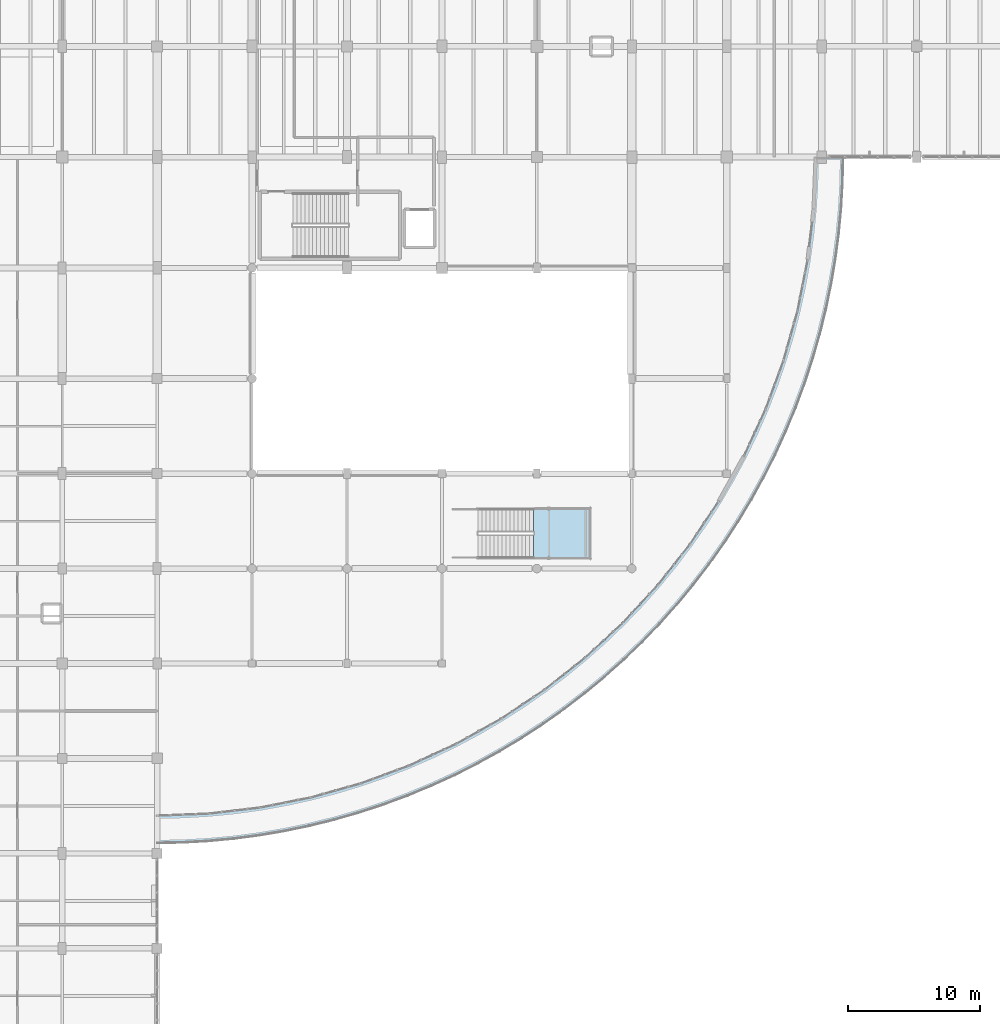
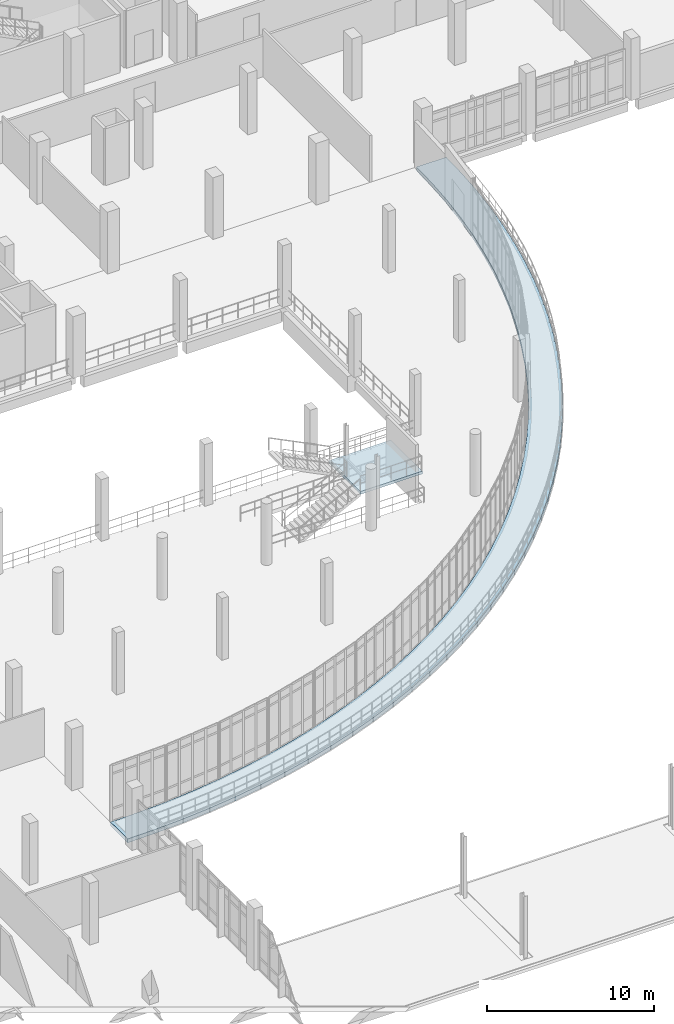
# One storey, part 97 of 134: 2 slabs, 1 element without a shape of its own.
"""IFC4 building model written with IfcOpenShell, lengths in metres."""

from ifc_helpers import new_model, si_unit, direction, frame, origin, place, context, subcontext, project, spatial, polyline, outline, extrude, material, layer, layer_set, type_object, element, aggregate, save


model = new_model("IFC4")

# Units and contexts
model_context = context("Model", 3, precision=1e-05, world=origin(), true_north=direction((0.0, 1.0)))
body_context = subcontext(model_context, "Body", "Model", "MODEL_VIEW")
ifc_project = project(units=[si_unit("LENGTHUNIT", "METRE"), si_unit("AREAUNIT", "SQUARE_METRE"), si_unit("VOLUMEUNIT", "CUBIC_METRE"), si_unit("PLANEANGLEUNIT", "RADIAN"), si_unit("MASSUNIT", "GRAM", prefix="KILO")], contexts=[model_context])

# Site, building, storey
site_placement = place(None, origin())
site = spatial("IfcSite", under=ifc_project, at=site_placement, CompositionType="ELEMENT")
building_placement = place(site_placement, origin())
building = spatial("IfcBuilding", under=site, at=building_placement, Name="Kalluvel Institute of Natural Sciences", CompositionType="ELEMENT")
storey_placement = place(building_placement, frame((0.0, 0.0, 5.39990234375)))
storey = spatial("IfcBuildingStorey", under=building, at=storey_placement, Name="L01", CompositionType="ELEMENT", Elevation=5.39990234375)

# Slab
ifc_material_1 = material(Name="Sadarahalli Granite Precast Concrete M45", Category="masonry")
ifc_layer_1 = layer(ifc_material_1, 0.280029296875)
ifc_layer_set_1 = layer_set([ifc_layer_1], Name="Sadarahalli Granite Precast Concrete M45")
slab_type_1 = type_object("IfcSlabType", Name="SLB-TER-280", PredefinedType="FLOOR", material=ifc_layer_set_1)
slab_1_placement = place(storey_placement, frame((0.0, 0.0, -0.27978515625)))
element("IfcSlab", 1, at=slab_1_placement, inside=storey, type_object=slab_type_1, Name="L01 Unbroken Curved Stepped Planted Atrium Terrace Slab", PredefinedType="FLOOR", context=body_context, shape_type="SweptSolid", body=[
    extrude(outline(polyline([(35.60009765625, 50.800048828125), (37.544189453125, 50.83642578125), (39.486083984375, 50.9453125), (41.422119140625, 51.126953125), (43.35009765625, 51.380859375), (45.267333984375, 51.70654296875), (47.171142578125, 52.103759765625), (49.05859375, 52.572021484375), (50.92724609375, 53.110107421875), (52.7744140625, 53.718017578125), (54.59765625, 54.39453125), (56.394287109375, 55.138916015625), (58.162109375, 55.94970703125), (59.89794921875, 56.825927734375), (61.60009765625, 57.7666015625), (63.265625, 58.770263671875), (64.892578125, 59.835693359375), (66.478515625, 60.9609375), (68.021484375, 62.144775390625), (69.518798828125, 63.385498046875), (70.968994140625, 64.681396484375), (72.36962890625, 66.030517578125), (73.71875, 67.430908203125), (75.014404296875, 68.881103515625), (76.255126953125, 70.37841796875), (77.439208984375, 71.92138671875), (78.564453125, 73.50732421875), (79.629638671875, 75.13427734375), (80.63330078125, 76.800048828125), (81.573974609375, 78.501953125), (82.450439453125, 80.238037109375), (83.26123046875, 82.005615234375), (84.00537109375, 83.80224609375), (84.681884765625, 85.62548828125), (85.289794921875, 87.47265625), (85.828125, 89.34130859375), (86.29638671875, 91.22900390625), (86.693603515625, 93.132568359375), (87.019287109375, 95.0498046875), (87.27294921875, 96.977783203125), (87.45458984375, 98.9140625), (87.563720703125, 100.855712890625), (87.60009765625, 102.800048828125), (85.550048828125, 102.800048828125), (85.511474609375, 100.839111328125), (85.39599609375, 98.881103515625), (85.203857421875, 96.928955078125), (84.93505859375, 94.986083984375), (84.590087890625, 93.05517578125), (84.169921875, 91.139404296875), (83.674560546875, 89.241455078125), (83.105224609375, 87.364501953125), (82.462646484375, 85.511474609375), (81.747802734375, 83.68505859375), (80.9619140625, 81.887939453125), (80.105712890625, 80.123291015625), (79.18115234375, 78.393310546875), (78.189453125, 76.701171875), (77.1318359375, 75.04931640625), (76.010498046875, 73.440185546875), (74.82666015625, 71.876220703125), (73.582275390625, 70.360107421875), (72.279296875, 68.893798828125), (70.919921875, 67.47998046875), (69.506103515625, 66.12060546875), (68.039794921875, 64.817626953125), (66.523681640625, 63.573486328125), (64.9599609375, 62.3896484375), (63.3505859375, 61.26806640625), (61.69873046875, 60.210693359375), (60.006591796875, 59.21875), (58.27685546875, 58.294189453125), (56.51220703125, 57.438232421875), (54.715087890625, 56.652099609375), (52.888427734375, 55.937255859375), (51.035400390625, 55.294677734375), (49.158447265625, 54.725341796875), (47.260498046875, 54.22998046875), (45.3447265625, 53.809814453125), (43.413818359375, 53.465087890625), (41.470947265625, 53.1962890625), (39.51904296875, 53.00390625), (37.56103515625, 52.888427734375), (35.60009765625, 52.85009765625), (35.60009765625, 50.800048828125)])), origin(), (0.0, 0.0, 1.0), 0.27978515625),
])

# Stair, slab
ifc_material_2 = material(Name="Concrete M40", Category="concrete")
stair_type = type_object("IfcStairType", Name="STR-ST6-45", PredefinedType="HALF_TURN_STAIR", material=ifc_material_2)
stair_placement = place(storey_placement, origin())
stair = element("IfcStair", 2, at=stair_placement, inside=storey, type_object=stair_type, Name="L01 Interaction Atrium Feature Stair ST6", PredefinedType="HALF_TURN_STAIR")
ifc_layer_2 = layer(ifc_material_2, 0.199951171875)
ifc_layer_set_2 = layer_set([ifc_layer_2], Name="Concrete M40")
slab_type_2 = type_object("IfcSlabType", Name="SLD-ST6", PredefinedType="LANDING", material=ifc_layer_set_2)
slab_2_placement = place(storey_placement, frame((0.0, 0.0, 2.050048828125)))
slab_2 = element("IfcSlab", 3, at=slab_2_placement, type_object=slab_type_2, Name="S6-45 landing 1", PredefinedType="LANDING", context=body_context, shape_type="SweptSolid", body=[
    extrude(outline(polyline([(64.132080078125, 72.39990234375), (68.39990234375, 72.39990234375), (68.39990234375, 76.14990234375), (64.132080078125, 76.14990234375), (64.132080078125, 72.39990234375)])), origin(), (0.0, 0.0, 1.0), 0.199951171875),
])
aggregate(stair, [slab_2])

save(model, "model.ifc")
